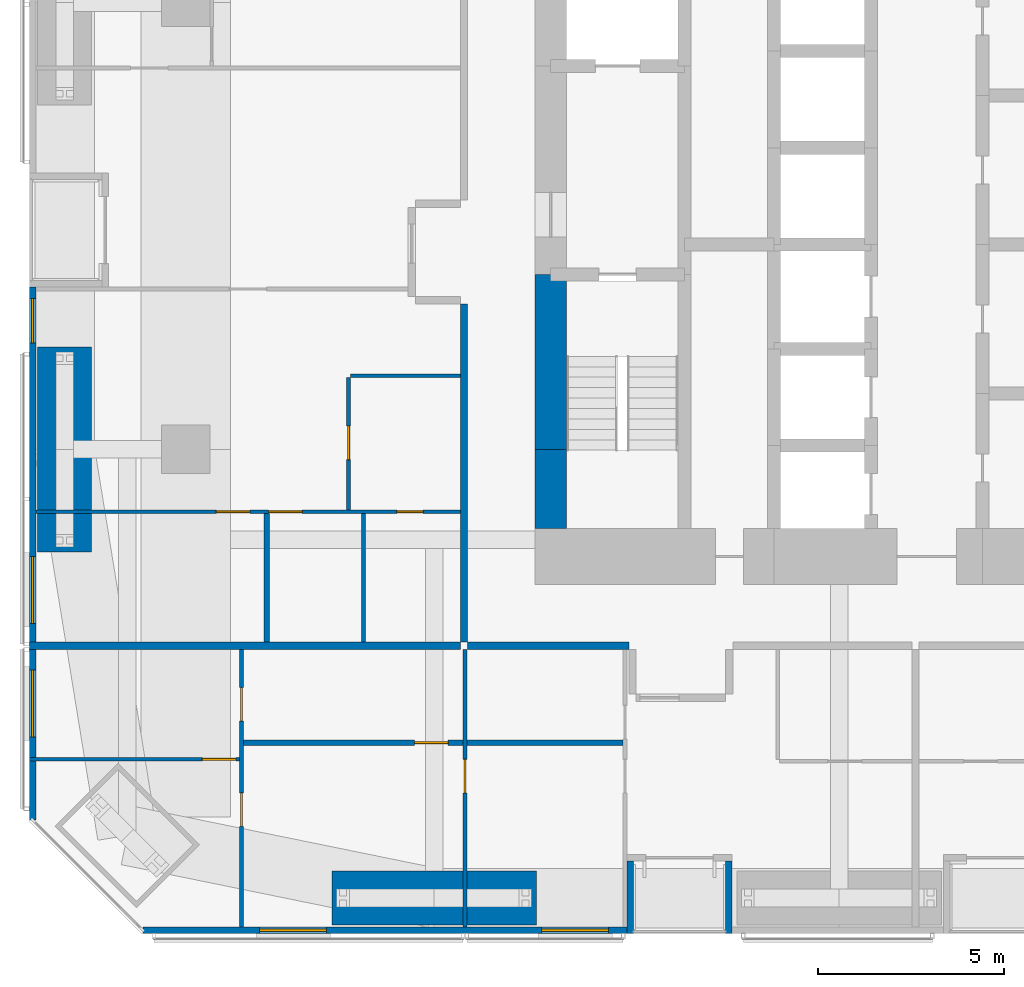
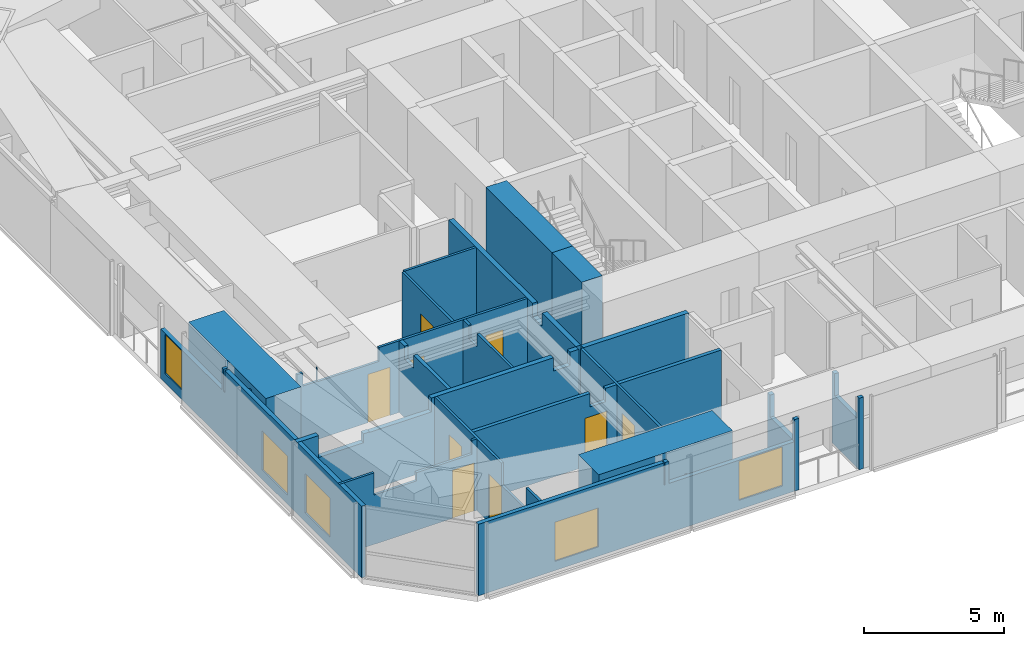
# One storey, part 16 of 23: 21 walls, 9 doors, 5 windows, 14 openings.
"""IFC4 building model written with IfcOpenShell, lengths in metres."""

from ifc_helpers import new_model, si_unit, direction, frame, frame_2d, origin, place, context, subcontext, project, spatial, polyline, rectangle, outline, extrude, material, layer, layer_set, constituent, constituent_set, type_object, element, fill, save


model = new_model("IFC4")

# Units and contexts
model_context = context("Model", 3, precision=1e-05, world=origin(), true_north=direction((0.0, 1.0)))
body_context = subcontext(model_context, "Body", "Model", "MODEL_VIEW")
ifc_project = project(units=[si_unit("LENGTHUNIT", "METRE"), si_unit("AREAUNIT", "SQUARE_METRE"), si_unit("VOLUMEUNIT", "CUBIC_METRE"), si_unit("PLANEANGLEUNIT", "RADIAN"), si_unit("MASSUNIT", "GRAM", prefix="KILO")], contexts=[model_context])

# Site, building, storey
site_placement = place(None, origin())
site = spatial("IfcSite", under=ifc_project, at=site_placement, CompositionType="ELEMENT")
building_placement = place(site_placement, origin())
building = spatial("IfcBuilding", under=site, at=building_placement, Name="Jalousie Tower", CompositionType="ELEMENT")
storey_placement = place(building_placement, frame((0.0, 0.0, 88.10009765625)))
storey = spatial("IfcBuildingStorey", under=building, at=storey_placement, Name="L23", CompositionType="ELEMENT", Elevation=88.10009765625)

# Wall, opening, door
ifc_material_1 = material(Name="Concrete block ASTM C90", Category="concrete")
ifc_constituent_1 = constituent(ifc_material_1, Name="Body")
ifc_material_2 = material(Name="Render")
ifc_constituent_2 = constituent(ifc_material_2, Name="Finish")
ifc_constituent_set_1 = constituent_set(constituents=[ifc_constituent_1, ifc_constituent_2])
wall_type_1 = type_object("IfcWallType", Name="BATHROOM WALL 150", PredefinedType="PLUMBINGWALL", material=ifc_constituent_set_1)
wall_1_placement = place(storey_placement, frame((11.75, 5.125, 0.0), z_axis=(0.0, 0.0, 1.0), x_axis=(1.0, 0.0, 0.0)))
wall_1 = element("IfcWall", 1, at=wall_1_placement, inside=storey, type_object=wall_type_1, Name="Bathroom Wall 150 L23", PredefinedType="PLUMBINGWALL", context=body_context, shape_type="SweptSolid", body=[
    extrude(outline(polyline([(0.0, 0.0), (5.89990234375, 0.0), (5.89990234375, 3.10986328125), (5.4462890625, 3.10986328125), (5.4462890625, 2.53076171875), (4.8037109375, 2.53076171875), (4.8037109375, 3.10986328125), (0.0, 3.10986328125), (0.0, 0.0)])), frame((0.0, 0.074951171875, 0.0), z_axis=(0.0, -1.0, 0.0), x_axis=(1.0, 0.0, 0.0)), (0.0, 0.0, 1.0), 0.14990234375),
])
opening_1_placement = place(wall_1_placement, frame((4.60009765625, 0.0, 0.0)))
opening_1 = element("IfcOpeningElement", 2, at=opening_1_placement, cuts=wall_1, Name="Opening D3", PredefinedType="OPENING", context=body_context, shape_type="SweptSolid", body=[
    extrude(rectangle(XDim=0.89990234375, YDim=2.10009765625, at=frame_2d((0.449951171875, 1.050048828125))), frame((0.0, 0.0849609375, 0.0), z_axis=(0.0, -1.0, 0.0), x_axis=(1.0, 0.0, 0.0)), (0.0, 0.0, 1.0), 0.169921875),
])
ifc_material_3 = material(Name="Timber door", Category="wood")
door_type_1 = type_object("IfcDoorType", Name="BATHROOM DOOR 900", OperationType="SINGLE_SWING_LEFT", PredefinedType="DOOR", material=ifc_material_3)
door_1_placement = place(opening_1_placement, origin())
door_1 = element("IfcDoor", 3, at=door_1_placement, inside=storey, type_object=door_type_1, Name="Apartment 2301 bedroom 2 bathroom door", OperationType="SINGLE_SWING_RIGHT", OverallHeight=2.10009765625, OverallWidth=0.89990234375, PredefinedType="DOOR", context=body_context, shape_type="SweptSolid", body=[
    extrude(rectangle(XDim=0.89990234375, YDim=2.10009765625, at=frame_2d((0.449951171875, 1.050048828125))), frame((0.0, 0.02490234375, 0.0), z_axis=(0.0, -1.0, 0.0), x_axis=(1.0, 0.0, 0.0)), (0.0, 0.0, 1.0), 0.050048828125),
])
fill(opening_1, door_1)

# Walls
wall_2_placement = place(storey_placement, frame((17.75, 5.125, 0.0), z_axis=(0.0, 0.0, 1.0), x_axis=(1.0, 0.0, 0.0)))
element("IfcWall", 4, at=wall_2_placement, inside=storey, type_object=wall_type_1, Name="Bathroom Wall 150 L23", PredefinedType="PLUMBINGWALL", context=body_context, shape_type="SweptSolid", body=[
    extrude(rectangle(XDim=4.199951171875, YDim=0.14990234375, at=frame_2d((2.10009765625, 0.0))), origin(), (0.0, 0.0, 1.0), 3.10986328125),
])
wall_3_placement = place(storey_placement, frame((12.375, 7.824951171875, 0.0), z_axis=(0.0, 0.0, 1.0), x_axis=(0.0, 1.0, 0.0)))
element("IfcWall", 5, at=wall_3_placement, inside=storey, type_object=wall_type_1, Name="Bathroom Wall 150 L23", PredefinedType="PLUMBINGWALL", context=body_context, shape_type="SweptSolid", body=[
    extrude(outline(polyline([(0.0, 0.0), (3.449951171875, 0.0), (3.449951171875, 3.10986328125), (3.0712890625, 3.10986328125), (3.0712890625, 2.53076171875), (2.4287109375, 2.53076171875), (2.4287109375, 3.10986328125), (0.0, 3.10986328125), (0.0, 0.0)])), frame((0.0, 0.074951171875, 0.0), z_axis=(0.0, -1.0, 0.0), x_axis=(1.0, 0.0, 0.0)), (0.0, 0.0, 1.0), 0.14990234375),
])
ifc_material_4 = material(Name="Concrete f'c 120 MPa", Category="concrete")
ifc_layer_1 = layer(ifc_material_4, 0.85009765625)
ifc_layer_set_1 = layer_set([ifc_layer_1], Name="Concrete f'c 120 MPa")
wall_type_2 = type_object("IfcWallType", Name="CORE WALL 850", PredefinedType="SHEAR", material=ifc_layer_set_1)
wall_4_placement = place(storey_placement, frame((20.0, 17.699951171875, 0.0), z_axis=(0.0, 0.0, 1.0), x_axis=(0.0, -1.0, 0.0)))
element("IfcWall", 6, at=wall_4_placement, inside=storey, type_object=wall_type_2, Name="Core wall WC L23", PredefinedType="SHEAR", context=body_context, shape_type="SweptSolid", body=[
    extrude(rectangle(XDim=4.699951171875, YDim=0.85009765625, at=frame_2d((2.35009765625, 0.0))), origin(), (0.0, 0.0, 1.0), 3.349853515625),
])
wall_5_placement = place(storey_placement, frame((20.0, 13.0, 0.0), z_axis=(0.0, 0.0, 1.0), x_axis=(0.0, -1.0, 0.0)))
element("IfcWall", 7, at=wall_5_placement, inside=storey, type_object=wall_type_2, Name="Core wall WD L23", PredefinedType="SHEAR", context=body_context, shape_type="SweptSolid", body=[
    extrude(rectangle(XDim=2.125, YDim=0.85009765625, at=frame_2d((1.0625, 0.0))), origin(), (0.0, 0.0, 1.0), 3.349853515625),
])
ifc_material_5 = material(Name="Concrete block ASTM C90", Category="concrete")
ifc_constituent_3 = constituent(ifc_material_5, Name="Body")
ifc_material_6 = material(Name="Render")
ifc_constituent_4 = constituent(ifc_material_6, Name="Finish")
ifc_constituent_set_2 = constituent_set(constituents=[ifc_constituent_3, ifc_constituent_4])
wall_type_3 = type_object("IfcWallType", Name="CORRIDOR WALL 200", PredefinedType="PARTITIONING", material=ifc_constituent_set_2)
wall_6_placement = place(storey_placement, frame((17.77490234375, 7.72509765625, 0.0), z_axis=(0.0, 0.0, 1.0), x_axis=(1.0, 0.0, 0.0)))
element("IfcWall", 8, at=wall_6_placement, inside=storey, type_object=wall_type_3, Name="Corridor Wall 200 L23", PredefinedType="PARTITIONING", context=body_context, shape_type="SweptSolid", body=[
    extrude(rectangle(XDim=4.3251953125, YDim=0.199951171875, at=frame_2d((2.16259765625, 0.0))), origin(), (0.0, 0.0, 1.0), 3.10986328125),
])
wall_7_placement = place(storey_placement, frame((17.675048828125, 7.824951171875, 0.0), z_axis=(0.0, 0.0, 1.0), x_axis=(0.0, 1.0, 0.0)))
element("IfcWall", 9, at=wall_7_placement, inside=storey, type_object=wall_type_3, Name="Corridor Wall 200 L23", PredefinedType="PARTITIONING", context=body_context, shape_type="SweptSolid", body=[
    extrude(outline(polyline([(0.0, 0.0), (9.074951171875, 0.0), (9.074951171875, 3.10986328125), (3.09619140625, 3.10986328125), (3.09619140625, 2.53076171875), (2.40380859375, 2.53076171875), (2.40380859375, 3.10986328125), (0.0, 3.10986328125), (0.0, 0.0)])), frame((0.0, 0.10009765625, 0.0), z_axis=(0.0, -1.0, 0.0), x_axis=(1.0, 0.0, 0.0)), (0.0, 0.0, 1.0), 0.199951171875),
])

# Wall, openings, windows
ifc_material_7 = material(Name="Concrete f'c 40 MPa", Category="concrete")
ifc_constituent_5 = constituent(ifc_material_7, Name="Body")
ifc_material_8 = material(Name="Render, pastel sea green")
ifc_constituent_6 = constituent(ifc_material_8, Name="Finish")
ifc_constituent_set_3 = constituent_set(constituents=[ifc_constituent_5, ifc_constituent_6])
wall_type_4 = type_object("IfcWallType", Name="EXTERNAL WALL 175 SEA GREEN RENDER", PredefinedType="SOLIDWALL", material=ifc_constituent_set_3)
wall_8_placement = place(storey_placement, frame((9.05126953125, 0.08740234375, 0.0), z_axis=(0.0, 0.0, 1.0), x_axis=(1.0, 0.0, 0.0)))
wall_8 = element("IfcWall", 10, at=wall_8_placement, inside=storey, type_object=wall_type_4, Name="External Wall 175 Sea Green Render L23", PredefinedType="SOLIDWALL", context=body_context, shape_type="SweptSolid", body=[
    extrude(outline(polyline([(0.0, 0.0), (12.998779296875, 0.0), (12.998779296875, 2.14990234375), (7.82373046875, 2.14990234375), (7.82373046875, 3.10986328125), (7.66552734375, 3.10986328125), (7.66552734375, 2.14990234375), (7.620361328125, 2.14990234375), (7.620361328125, 3.10986328125), (0.0, 3.10986328125), (0.0, 0.0)])), frame((0.0, 0.08740234375, 0.0), z_axis=(0.0, -1.0, 0.0), x_axis=(1.0, 0.0, 0.0)), (0.0, 0.0, 1.0), 0.175048828125),
])
opening_2_placement = place(wall_8_placement, frame((3.1337890625, 0.0, 0.39990234375)))
opening_2 = element("IfcOpeningElement", 11, at=opening_2_placement, cuts=wall_8, Name="Opening W-BED170", PredefinedType="OPENING", context=body_context, shape_type="SweptSolid", body=[
    extrude(rectangle(XDim=1.800048828125, YDim=1.699951171875, at=frame_2d((0.89990234375, 0.85009765625))), frame((0.0, 0.097412109375, 0.0), z_axis=(0.0, -1.0, 0.0), x_axis=(1.0, 0.0, 0.0)), (0.0, 0.0, 1.0), 0.195068359375),
])
opening_3_placement = place(wall_8_placement, frame((10.706298828125, 0.0, 0.39990234375)))
opening_3 = element("IfcOpeningElement", 12, at=opening_3_placement, cuts=wall_8, Name="Opening W-BED170", PredefinedType="OPENING", context=body_context, shape_type="SweptSolid", body=[
    extrude(rectangle(XDim=1.800048828125, YDim=1.699951171875, at=frame_2d((0.89990234375, 0.85009765625))), frame((0.0, 0.097412109375, 0.0), z_axis=(0.0, -1.0, 0.0), x_axis=(1.0, 0.0, 0.0)), (0.0, 0.0, 1.0), 0.195068359375),
])
ifc_material_9 = material(Name="Aluminium frame, impact-rated glazing", Category="aluminium")
window_type_1 = type_object("IfcWindowType", Name="WINDOW BED 1800x1700", PartitioningType="SINGLE_PANEL", PredefinedType="WINDOW", material=ifc_material_9)
window_1_placement = place(opening_2_placement, origin())
window_1 = element("IfcWindow", 13, at=window_1_placement, inside=storey, type_object=window_type_1, Name="Apartment 2301 bedroom 2 window", OverallHeight=1.699951171875, OverallWidth=1.800048828125, PartitioningType="SINGLE_PANEL", PredefinedType="WINDOW", context=body_context, shape_type="SweptSolid", body=[
    extrude(rectangle(XDim=1.800048828125, YDim=1.699951171875, at=frame_2d((0.89990234375, 0.85009765625))), frame((0.0, 0.030029296875, 0.0), z_axis=(0.0, -1.0, 0.0), x_axis=(1.0, 0.0, 0.0)), (0.0, 0.0, 1.0), 0.06005859375),
])
fill(opening_2, window_1)
window_2_placement = place(opening_3_placement, origin())
window_2 = element("IfcWindow", 14, at=window_2_placement, inside=storey, type_object=window_type_1, Name="Apartment 2301 bedroom 3 window", OverallHeight=1.699951171875, OverallWidth=1.800048828125, PartitioningType="SINGLE_PANEL", PredefinedType="WINDOW", context=body_context, shape_type="SweptSolid", body=[
    extrude(rectangle(XDim=1.800048828125, YDim=1.699951171875, at=frame_2d((0.89990234375, 0.85009765625))), frame((0.0, 0.030029296875, 0.0), z_axis=(0.0, -1.0, 0.0), x_axis=(1.0, 0.0, 0.0)), (0.0, 0.0, 1.0), 0.06005859375),
])
fill(opening_3, window_2)

# Walls
for number, where, z_axis, x_axis, name in (
    (15, (22.137451171875, 0.0, 0.0), (0.0, 0.0, 1.0), (0.0, 1.0, 0.0), "External Wall 175 Sea Green Render L23"),
    (16, (24.78759765625, 0.0, 0.0), (0.0, 0.0, 1.0), (0.0, 1.0, 0.0), "External Wall 175 Sea Green Render L23"),
):
    element("IfcWall", number, at=place(storey_placement, frame(where, z_axis=z_axis, x_axis=x_axis)), inside=storey, type_object=wall_type_4, Name=name, PredefinedType="SOLIDWALL", context=body_context, shape_type="SweptSolid", body=[
        extrude(outline(polyline([(0.0, 0.0), (1.949951171875, 0.0), (1.949951171875, 3.10986328125), (1.75, 3.10986328125), (1.75, 2.14990234375), (0.14990234375, 2.14990234375), (0.14990234375, 3.10986328125), (0.0, 3.10986328125), (0.0, 0.0)])), frame((0.0, 0.08740234375, 0.0), z_axis=(0.0, -1.0, 0.0), x_axis=(1.0, 0.0, 0.0)), (0.0, 0.0, 1.0), 0.175048828125),
    ])

# Wall, openings, windows
wall_9_placement = place(storey_placement, frame((6.08740234375, 17.3583984375, 0.0), z_axis=(0.0, 0.0, 1.0), x_axis=(0.0, -1.0, 0.0)))
wall_9 = element("IfcWall", 17, at=wall_9_placement, inside=storey, type_object=wall_type_4, Name="External Wall 175 Sea Green Render L23", PredefinedType="SOLIDWALL", context=body_context, shape_type="SweptSolid", body=[
    extrude(outline(polyline([(0.0, 0.0), (14.30712890625, 0.0), (14.306884765625, 3.10986328125), (4.576904296875, 3.10986328125), (4.576904296875, 2.14990234375), (4.48388671875, 2.14990234375), (4.48388671875, 3.10986328125), (4.3583984375, 3.10986328125), (4.3583984375, 2.14990234375), (0.0, 2.14990234375), (0.0, 0.0)])), frame((0.0, 0.08740234375, 0.0), z_axis=(0.0, -1.0, 0.0), x_axis=(1.0, 0.0, 0.0)), (0.0, 0.0, 1.0), 0.175048828125),
])
opening_4_placement = place(wall_9_placement, frame((0.300048828125, 0.0, 0.39990234375)))
opening_4 = element("IfcOpeningElement", 18, at=opening_4_placement, cuts=wall_9, Name="Opening W-COR170", PredefinedType="OPENING", context=body_context, shape_type="SweptSolid", body=[
    extrude(rectangle(XDim=1.199951171875, YDim=1.699951171875, at=frame_2d((0.60009765625, 0.85009765625))), frame((0.0, 0.097412109375, 0.0), z_axis=(0.0, -1.0, 0.0), x_axis=(1.0, 0.0, 0.0)), (0.0, 0.0, 1.0), 0.195068359375),
])
opening_5_placement = place(wall_9_placement, frame((7.2333984375, 0.0, 0.39990234375)))
opening_5 = element("IfcOpeningElement", 19, at=opening_5_placement, cuts=wall_9, Name="Opening W-BED170", PredefinedType="OPENING", context=body_context, shape_type="SweptSolid", body=[
    extrude(rectangle(XDim=1.800048828125, YDim=1.699951171875, at=frame_2d((0.89990234375, 0.85009765625))), frame((0.0, 0.097412109375, 0.0), z_axis=(0.0, -1.0, 0.0), x_axis=(1.0, 0.0, 0.0)), (0.0, 0.0, 1.0), 0.195068359375),
])
opening_6_placement = place(wall_9_placement, frame((10.282958984375, 0.0, 0.39990234375)))
opening_6 = element("IfcOpeningElement", 20, at=opening_6_placement, cuts=wall_9, Name="Opening W-BED170", PredefinedType="OPENING", context=body_context, shape_type="SweptSolid", body=[
    extrude(rectangle(XDim=1.800048828125, YDim=1.699951171875, at=frame_2d((0.89990234375, 0.85009765625))), frame((0.0, 0.097412109375, 0.0), z_axis=(0.0, -1.0, 0.0), x_axis=(1.0, 0.0, 0.0)), (0.0, 0.0, 1.0), 0.195068359375),
])
window_3_placement = place(opening_5_placement, origin())
window_3 = element("IfcWindow", 21, at=window_3_placement, inside=storey, type_object=window_type_1, Name="Apartment 2307 bedroom 1 window", OverallHeight=1.699951171875, OverallWidth=1.800048828125, PartitioningType="SINGLE_PANEL", PredefinedType="WINDOW", context=body_context, shape_type="SweptSolid", body=[
    extrude(rectangle(XDim=1.800048828125, YDim=1.699951171875, at=frame_2d((0.89990234375, 0.85009765625))), frame((0.0, 0.030029296875, 0.0), z_axis=(0.0, -1.0, 0.0), x_axis=(1.0, 0.0, 0.0)), (0.0, 0.0, 1.0), 0.06005859375),
])
fill(opening_5, window_3)
window_4_placement = place(opening_6_placement, origin())
window_4 = element("IfcWindow", 22, at=window_4_placement, inside=storey, type_object=window_type_1, Name="Apartment 2301 bedroom 1 window", OverallHeight=1.699951171875, OverallWidth=1.800048828125, PartitioningType="SINGLE_PANEL", PredefinedType="WINDOW", context=body_context, shape_type="SweptSolid", body=[
    extrude(rectangle(XDim=1.800048828125, YDim=1.699951171875, at=frame_2d((0.89990234375, 0.85009765625))), frame((0.0, 0.030029296875, 0.0), z_axis=(0.0, -1.0, 0.0), x_axis=(1.0, 0.0, 0.0)), (0.0, 0.0, 1.0), 0.06005859375),
])
fill(opening_6, window_4)
ifc_material_10 = material(Name="Aluminium frame, impact-rated glazing", Category="aluminium")
window_type_2 = type_object("IfcWindowType", Name="WINDOW COR 1200x1700", PartitioningType="SINGLE_PANEL", PredefinedType="WINDOW", material=ifc_material_10)
window_5_placement = place(opening_4_placement, origin())
window_5 = element("IfcWindow", 23, at=window_5_placement, inside=storey, type_object=window_type_2, Name="Apartment 2307 dining room window", OverallHeight=1.699951171875, OverallWidth=1.199951171875, PartitioningType="SINGLE_PANEL", PredefinedType="WINDOW", context=body_context, shape_type="SweptSolid", body=[
    extrude(rectangle(XDim=1.199951171875, YDim=1.699951171875, at=frame_2d((0.60009765625, 0.85009765625))), frame((0.0, 0.030029296875, 0.0), z_axis=(0.0, -1.0, 0.0), x_axis=(1.0, 0.0, 0.0)), (0.0, 0.0, 1.0), 0.06005859375),
])
fill(opening_4, window_5)

# Wall, openings, doors
ifc_material_11 = material(Name="Gypsum board", Category="gypsum")
ifc_constituent_7 = constituent(ifc_material_11, Name="Body")
ifc_material_12 = material(Name="Light-gauge steel studs ASTM A653 SS Grade 33", Category="steel")
ifc_constituent_8 = constituent(ifc_material_12, Name="Framing")
ifc_constituent_set_4 = constituent_set(constituents=[ifc_constituent_7, ifc_constituent_8])
wall_type_5 = type_object("IfcWallType", Name="PARTITION 100", PredefinedType="PARTITIONING", material=ifc_constituent_set_4)
wall_10_placement = place(storey_placement, frame((11.699951171875, 0.175048828125, 0.0), z_axis=(0.0, 0.0, 1.0), x_axis=(0.0, 1.0, 0.0)))
wall_10 = element("IfcWall", 24, at=wall_10_placement, inside=storey, type_object=wall_type_5, Name="Partition 100 L23", PredefinedType="PARTITIONING", context=body_context, shape_type="SweptSolid", body=[
    extrude(outline(polyline([(0.0, 0.0), (7.449951171875, 0.0), (7.449951171875, 3.10986328125), (2.708251953125, 3.10986328125), (2.708251953125, 2.14990234375), (0.952880859375, 2.14990234375), (0.952880859375, 3.10986328125), (0.0, 3.10986328125), (0.0, 0.0)])), frame((0.0, 0.050048828125, 0.0), z_axis=(0.0, -1.0, 0.0), x_axis=(1.0, 0.0, 0.0)), (0.0, 0.0, 1.0), 0.10009765625),
])
opening_7_placement = place(wall_10_placement, frame((2.700927734375, 0.0, 0.0)))
opening_7 = element("IfcOpeningElement", 25, at=opening_7_placement, cuts=wall_10, Name="Opening D2", PredefinedType="OPENING", context=body_context, shape_type="SweptSolid", body=[
    extrude(rectangle(XDim=0.89990234375, YDim=2.10009765625, at=frame_2d((0.449951171875, 1.050048828125))), frame((0.0, 0.06005859375, 0.0), z_axis=(0.0, -1.0, 0.0), x_axis=(1.0, 0.0, 0.0)), (0.0, 0.0, 1.0), 0.1201171875),
])
opening_8_placement = place(wall_10_placement, frame((5.525390625, 0.0, 0.0)))
opening_8 = element("IfcOpeningElement", 26, at=opening_8_placement, cuts=wall_10, Name="Opening D3", PredefinedType="OPENING", context=body_context, shape_type="SweptSolid", body=[
    extrude(rectangle(XDim=0.89990234375, YDim=2.10009765625, at=frame_2d((0.449951171875, 1.050048828125))), frame((0.0, 0.06005859375, 0.0), z_axis=(0.0, -1.0, 0.0), x_axis=(1.0, 0.0, 0.0)), (0.0, 0.0, 1.0), 0.1201171875),
])
door_2_placement = place(opening_8_placement, frame((0.89990234375, 0.0, 0.0), z_axis=(0.0, 0.0, 1.0), x_axis=(-1.0, 0.0, 0.0)))
door_2 = element("IfcDoor", 27, at=door_2_placement, inside=storey, type_object=door_type_1, Name="Apartment 2301 bedroom 1 bathroom door", OperationType="SINGLE_SWING_RIGHT", OverallHeight=2.10009765625, OverallWidth=0.89990234375, PredefinedType="DOOR", context=body_context, shape_type="SweptSolid", body=[
    extrude(rectangle(XDim=0.89990234375, YDim=2.10009765625, at=frame_2d((0.449951171875, 1.050048828125))), frame((0.0, 0.02490234375, 0.0), z_axis=(0.0, -1.0, 0.0), x_axis=(1.0, 0.0, 0.0)), (0.0, 0.0, 1.0), 0.050048828125),
])
fill(opening_8, door_2)
ifc_material_13 = material(Name="Timber door", Category="wood")
door_type_2 = type_object("IfcDoorType", Name="BEDROOM DOOR 900", OperationType="SINGLE_SWING_LEFT", PredefinedType="DOOR", material=ifc_material_13)
door_3_placement = place(opening_7_placement, frame((0.89990234375, 0.0, 0.0), z_axis=(0.0, 0.0, 1.0), x_axis=(-1.0, 0.0, 0.0)))
door_3 = element("IfcDoor", 28, at=door_3_placement, inside=storey, type_object=door_type_2, Name="Apartment 2301 bedroom 1 door", OperationType="SINGLE_SWING_LEFT", OverallHeight=2.10009765625, OverallWidth=0.89990234375, PredefinedType="DOOR", context=body_context, shape_type="SweptSolid", body=[
    extrude(rectangle(XDim=0.89990234375, YDim=2.10009765625, at=frame_2d((0.449951171875, 1.050048828125))), frame((0.0, 0.02490234375, 0.0), z_axis=(0.0, -1.0, 0.0), x_axis=(1.0, 0.0, 0.0)), (0.0, 0.0, 1.0), 0.050048828125),
])
fill(opening_7, door_3)

# Wall, opening, door
wall_11_placement = place(storey_placement, frame((17.699951171875, 0.175048828125, 0.0), z_axis=(0.0, 0.0, 1.0), x_axis=(0.0, 1.0, 0.0)))
wall_11 = element("IfcWall", 29, at=wall_11_placement, inside=storey, type_object=wall_type_5, Name="Partition 100 L23", PredefinedType="PARTITIONING", context=body_context, shape_type="SweptSolid", body=[
    extrude(outline(polyline([(1.635009765625, 2.14990234375), (0.0, 2.14990234375), (0.0, 0.0), (7.449951171875, 0.0), (7.449951171875, 3.10986328125), (1.635009765625, 3.10986328125), (1.635009765625, 2.14990234375)]), holes=[polyline([(1.023681640625, 0.103515625), (0.526123046875, 0.103515625), (0.526123046875, 0.918212890625), (1.023681640625, 0.918212890625), (1.023681640625, 0.103515625)]), polyline([(1.023681640625, 1.231689453125), (0.526123046875, 1.231689453125), (0.526123046875, 2.046142578125), (1.023681640625, 2.046142578125), (1.023681640625, 1.231689453125)])]), frame((0.0, 0.050048828125, 0.0), z_axis=(0.0, -1.0, 0.0), x_axis=(1.0, 0.0, 0.0)), (0.0, 0.0, 1.0), 0.10009765625),
])
opening_9_placement = place(wall_11_placement, frame((3.60009765625, 0.0, 0.0)))
opening_9 = element("IfcOpeningElement", 30, at=opening_9_placement, cuts=wall_11, Name="Opening D2", PredefinedType="OPENING", context=body_context, shape_type="SweptSolid", body=[
    extrude(rectangle(XDim=0.89990234375, YDim=2.10009765625, at=frame_2d((0.449951171875, 1.050048828125))), frame((0.0, 0.06005859375, 0.0), z_axis=(0.0, -1.0, 0.0), x_axis=(1.0, 0.0, 0.0)), (0.0, 0.0, 1.0), 0.1201171875),
])
door_4_placement = place(opening_9_placement, origin())
door_4 = element("IfcDoor", 31, at=door_4_placement, inside=storey, type_object=door_type_2, Name="Apartment 2301 bedroom 2 door", OperationType="SINGLE_SWING_RIGHT", OverallHeight=2.10009765625, OverallWidth=0.89990234375, PredefinedType="DOOR", context=body_context, shape_type="SweptSolid", body=[
    extrude(rectangle(XDim=0.89990234375, YDim=2.10009765625, at=frame_2d((0.449951171875, 1.050048828125))), frame((0.0, 0.02490234375, 0.0), z_axis=(0.0, -1.0, 0.0), x_axis=(1.0, 0.0, 0.0)), (0.0, 0.0, 1.0), 0.050048828125),
])
fill(opening_9, door_4)

wall_12_placement = place(storey_placement, frame((6.0, 4.67578125, 0.0), z_axis=(0.0, 0.0, 1.0), x_axis=(1.0, 0.0, 0.0)))
wall_12 = element("IfcWall", 32, at=wall_12_placement, inside=storey, type_object=wall_type_5, Name="Partition 100 L23", PredefinedType="PARTITIONING", context=body_context, shape_type="SweptSolid", body=[
    extrude(outline(polyline([(0.0, 0.0), (5.64990234375, 0.0), (5.64990234375, 3.10986328125), (5.4599609375, 3.10986328125), (5.4599609375, 2.510009765625), (3.171142578125, 2.510009765625), (3.171142578125, 2.14990234375), (1.4287109375, 2.14990234375), (1.4287109375, 3.10986328125), (0.0, 3.10986328125), (0.0, 0.0)])), frame((0.0, 0.050048828125, 0.0), z_axis=(0.0, -1.0, 0.0), x_axis=(1.0, 0.0, 0.0)), (0.0, 0.0, 1.0), 0.10009765625),
])
opening_10_placement = place(wall_12_placement, frame((4.64990234375, 0.0, 0.0)))
opening_10 = element("IfcOpeningElement", 33, at=opening_10_placement, cuts=wall_12, Name="Opening D7", PredefinedType="OPENING", context=body_context, shape_type="SweptSolid", body=[
    extrude(rectangle(XDim=0.89990234375, YDim=2.10009765625, at=frame_2d((0.449951171875, 1.050048828125))), frame((0.0, 0.06005859375, 0.0), z_axis=(0.0, -1.0, 0.0), x_axis=(1.0, 0.0, 0.0)), (0.0, 0.0, 1.0), 0.1201171875),
])
ifc_material_14 = material(Name="Timber door", Category="wood")
door_type_3 = type_object("IfcDoorType", Name="INTERNAL DOOR 900", OperationType="SINGLE_SWING_LEFT", PredefinedType="DOOR", material=ifc_material_14)
door_5_placement = place(opening_10_placement, origin())
door_5 = element("IfcDoor", 34, at=door_5_placement, inside=storey, type_object=door_type_3, Name="Apartment 2301 bedroom 1 dressing hall door", OperationType="SINGLE_SWING_RIGHT", OverallHeight=2.10009765625, OverallWidth=0.89990234375, PredefinedType="DOOR", context=body_context, shape_type="SweptSolid", body=[
    extrude(rectangle(XDim=0.89990234375, YDim=2.10009765625, at=frame_2d((0.449951171875, 1.050048828125))), frame((0.0, 0.02490234375, 0.0), z_axis=(0.0, -1.0, 0.0), x_axis=(1.0, 0.0, 0.0)), (0.0, 0.0, 1.0), 0.050048828125),
])
fill(opening_10, door_5)

# Wall, openings, doors
wall_13_placement = place(storey_placement, frame((6.175048828125, 11.324951171875, 0.0), z_axis=(0.0, 0.0, 1.0), x_axis=(1.0, 0.0, 0.0)))
wall_13 = element("IfcWall", 35, at=wall_13_placement, inside=storey, type_object=wall_type_5, Name="Partition 100 L23", PredefinedType="PARTITIONING", context=body_context, shape_type="SweptSolid", body=[
    extrude(outline(polyline([(0.17529296875, 3.10986328125), (0.0, 3.10986328125), (0.0, 0.0), (0.5263671875, 0.0), (0.5263671875, 0.3369140625), (1.023681640625, 0.3369140625), (1.023681640625, 0.0), (11.39990234375, 0.0), (11.39990234375, 3.10986328125), (5.284912109375, 3.10986328125), (5.284912109375, 2.510009765625), (2.764892578125, 2.510009765625), (2.764892578125, 3.10986328125), (2.752685546875, 3.10986328125), (2.752685546875, 2.53076171875), (2.16015625, 2.53076171875), (2.16015625, 3.10986328125), (1.91796875, 3.10986328125), (1.91796875, 2.14990234375), (1.023681640625, 2.14990234375), (1.023681640625, 1.812744140625), (0.5263671875, 1.812744140625), (0.5263671875, 2.14990234375), (0.17529296875, 2.14990234375), (0.17529296875, 3.10986328125)])), frame((0.0, 0.050048828125, 0.0), z_axis=(0.0, -1.0, 0.0), x_axis=(1.0, 0.0, 0.0)), (0.0, 0.0, 1.0), 0.10009765625),
])
opening_11_placement = place(wall_13_placement, frame((4.85009765625, 0.0, 0.0)))
opening_11 = element("IfcOpeningElement", 36, at=opening_11_placement, cuts=wall_13, Name="Opening D2", PredefinedType="OPENING", context=body_context, shape_type="SweptSolid", body=[
    extrude(rectangle(XDim=0.89990234375, YDim=2.10009765625, at=frame_2d((0.449951171875, 1.050048828125))), frame((0.0, 0.06005859375, 0.0), z_axis=(0.0, -1.0, 0.0), x_axis=(1.0, 0.0, 0.0)), (0.0, 0.0, 1.0), 0.1201171875),
])
opening_12_placement = place(wall_13_placement, frame((6.25, 0.0, 0.0)))
opening_12 = element("IfcOpeningElement", 37, at=opening_12_placement, cuts=wall_13, Name="Opening D7", PredefinedType="OPENING", context=body_context, shape_type="SweptSolid", body=[
    extrude(rectangle(XDim=0.89990234375, YDim=2.10009765625, at=frame_2d((0.449951171875, 1.050048828125))), frame((0.0, 0.06005859375, 0.0), z_axis=(0.0, -1.0, 0.0), x_axis=(1.0, 0.0, 0.0)), (0.0, 0.0, 1.0), 0.1201171875),
])
opening_13_placement = place(wall_13_placement, frame((9.699951171875, 0.0, 0.0)))
opening_13 = element("IfcOpeningElement", 38, at=opening_13_placement, cuts=wall_13, Name="Opening D4", PredefinedType="OPENING", context=body_context, shape_type="SweptSolid", body=[
    extrude(rectangle(XDim=0.699951171875, YDim=2.10009765625, at=frame_2d((0.35009765625, 1.050048828125))), frame((0.0, 0.06005859375, 0.0), z_axis=(0.0, -1.0, 0.0), x_axis=(1.0, 0.0, 0.0)), (0.0, 0.0, 1.0), 0.1201171875),
])
door_6_placement = place(opening_11_placement, frame((0.89990234375, 0.0, 0.0), z_axis=(0.0, 0.0, 1.0), x_axis=(-1.0, 0.0, 0.0)))
door_6 = element("IfcDoor", 39, at=door_6_placement, inside=storey, type_object=door_type_2, Name="Apartment 2307 bedroom 1 door", OperationType="SINGLE_SWING_LEFT", OverallHeight=2.10009765625, OverallWidth=0.89990234375, PredefinedType="DOOR", context=body_context, shape_type="SweptSolid", body=[
    extrude(rectangle(XDim=0.89990234375, YDim=2.10009765625, at=frame_2d((0.449951171875, 1.050048828125))), frame((0.0, 0.02490234375, 0.0), z_axis=(0.0, -1.0, 0.0), x_axis=(1.0, 0.0, 0.0)), (0.0, 0.0, 1.0), 0.050048828125),
])
fill(opening_11, door_6)
door_7_placement = place(opening_12_placement, frame((0.89990234375, 0.0, 0.0), z_axis=(0.0, 0.0, 1.0), x_axis=(-1.0, 0.0, 0.0)))
door_7 = element("IfcDoor", 40, at=door_7_placement, inside=storey, type_object=door_type_3, Name="Apartment 2307 bathroom door", OperationType="SINGLE_SWING_RIGHT", OverallHeight=2.10009765625, OverallWidth=0.89990234375, PredefinedType="DOOR", context=body_context, shape_type="SweptSolid", body=[
    extrude(rectangle(XDim=0.89990234375, YDim=2.10009765625, at=frame_2d((0.449951171875, 1.050048828125))), frame((0.0, 0.02490234375, 0.0), z_axis=(0.0, -1.0, 0.0), x_axis=(1.0, 0.0, 0.0)), (0.0, 0.0, 1.0), 0.050048828125),
])
fill(opening_12, door_7)
ifc_material_15 = material(Name="Timber door", Category="wood")
door_type_4 = type_object("IfcDoorType", Name="STORE DOOR 700", OperationType="SINGLE_SWING_LEFT", PredefinedType="DOOR", material=ifc_material_15)
door_8_placement = place(opening_13_placement, frame((0.699951171875, 0.0, 0.0), z_axis=(0.0, 0.0, 1.0), x_axis=(-1.0, 0.0, 0.0)))
door_8 = element("IfcDoor", 41, at=door_8_placement, inside=storey, type_object=door_type_4, Name="Apartment 2307 store door", OperationType="SINGLE_SWING_RIGHT", OverallHeight=2.10009765625, OverallWidth=0.699951171875, PredefinedType="DOOR", context=body_context, shape_type="SweptSolid", body=[
    extrude(rectangle(XDim=0.699951171875, YDim=2.10009765625, at=frame_2d((0.35009765625, 1.050048828125))), frame((0.0, 0.02490234375, 0.0), z_axis=(0.0, -1.0, 0.0), x_axis=(1.0, 0.0, 0.0)), (0.0, 0.0, 1.0), 0.050048828125),
])
fill(opening_13, door_8)

# Wall
wall_14_placement = place(storey_placement, frame((14.97509765625, 7.824951171875, 0.0), z_axis=(0.0, 0.0, 1.0), x_axis=(0.0, 1.0, 0.0)))
element("IfcWall", 42, at=wall_14_placement, inside=storey, type_object=wall_type_5, Name="Partition 100 L23", PredefinedType="PARTITIONING", context=body_context, shape_type="SweptSolid", body=[
    extrude(outline(polyline([(0.0, 0.0), (3.449951171875, 0.0), (3.449951171875, 3.10986328125), (3.046142578125, 3.10986328125), (3.046142578125, 2.53076171875), (2.453857421875, 2.53076171875), (2.453857421875, 3.10986328125), (0.0, 3.10986328125), (0.0, 0.0)])), frame((0.0, 0.050048828125, 0.0), z_axis=(0.0, -1.0, 0.0), x_axis=(1.0, 0.0, 0.0)), (0.0, 0.0, 1.0), 0.10009765625),
])

# Wall, opening, door
wall_15_placement = place(storey_placement, frame((14.574951171875, 11.375, 0.0), z_axis=(0.0, 0.0, 1.0), x_axis=(0.0, 1.0, 0.0)))
wall_15 = element("IfcWall", 43, at=wall_15_placement, inside=storey, type_object=wall_type_5, Name="Partition 100 L23", PredefinedType="PARTITIONING", context=body_context, shape_type="SweptSolid", body=[
    extrude(rectangle(XDim=3.550048828125, YDim=0.10009765625, at=frame_2d((1.77490234375, 0.0))), origin(), (0.0, 0.0, 1.0), 3.10986328125),
])
opening_14_placement = place(wall_15_placement, frame((1.35009765625, 0.0, 0.0)))
opening_14 = element("IfcOpeningElement", 44, at=opening_14_placement, cuts=wall_15, Name="Opening D7", PredefinedType="OPENING", context=body_context, shape_type="SweptSolid", body=[
    extrude(rectangle(XDim=0.89990234375, YDim=2.10009765625, at=frame_2d((0.449951171875, 1.050048828125))), frame((0.0, 0.06005859375, 0.0), z_axis=(0.0, -1.0, 0.0), x_axis=(1.0, 0.0, 0.0)), (0.0, 0.0, 1.0), 0.1201171875),
])
door_9_placement = place(opening_14_placement, origin())
door_9 = element("IfcDoor", 45, at=door_9_placement, inside=storey, type_object=door_type_3, Name="Apartment 2307 kitchen door", OperationType="SINGLE_SWING_LEFT", OverallHeight=2.10009765625, OverallWidth=0.89990234375, PredefinedType="DOOR", context=body_context, shape_type="SweptSolid", body=[
    extrude(rectangle(XDim=0.89990234375, YDim=2.10009765625, at=frame_2d((0.449951171875, 1.050048828125))), frame((0.0, 0.02490234375, 0.0), z_axis=(0.0, -1.0, 0.0), x_axis=(1.0, 0.0, 0.0)), (0.0, 0.0, 1.0), 0.050048828125),
])
fill(opening_14, door_9)

# Walls
wall_16_placement = place(storey_placement, frame((14.625, 14.97509765625, 0.0), z_axis=(0.0, 0.0, 1.0), x_axis=(1.0, 0.0, 0.0)))
element("IfcWall", 46, at=wall_16_placement, inside=storey, type_object=wall_type_5, Name="Partition 100 L23", PredefinedType="PARTITIONING", context=body_context, shape_type="SweptSolid", body=[
    extrude(rectangle(XDim=2.949951171875, YDim=0.10009765625, at=frame_2d((1.47509765625, 0.0))), origin(), (0.0, 0.0, 1.0), 3.10986328125),
])
ifc_material_16 = material(Name="Concrete block ASTM C90", Category="concrete")
ifc_constituent_9 = constituent(ifc_material_16, Name="Body")
ifc_material_17 = material(Name="Render")
ifc_constituent_10 = constituent(ifc_material_17, Name="Finish")
ifc_constituent_set_5 = constituent_set(constituents=[ifc_constituent_9, ifc_constituent_10])
wall_type_6 = type_object("IfcWallType", Name="PARTY WALL 200", PredefinedType="PARTITIONING", material=ifc_constituent_set_5)
wall_17_placement = place(storey_placement, frame((6.0, 7.72509765625, 0.0), z_axis=(0.0, 0.0, 1.0), x_axis=(1.0, 0.0, 0.0)))
element("IfcWall", 47, at=wall_17_placement, inside=storey, type_object=wall_type_6, Name="Party Wall 200 L23", PredefinedType="PARTITIONING", context=body_context, shape_type="SweptSolid", body=[
    extrude(outline(polyline([(0.0, 0.0), (11.574951171875, 0.0), (11.574951171875, 3.10986328125), (11.22119140625, 3.10986328125), (11.22119140625, 2.53076171875), (10.52880859375, 2.53076171875), (10.52880859375, 3.10986328125), (5.510009765625, 3.10986328125), (5.510009765625, 2.510009765625), (2.9775390625, 2.510009765625), (2.9775390625, 2.53076171875), (2.727294921875, 2.53076171875), (2.727294921875, 2.14990234375), (0.883544921875, 2.14990234375), (0.883544921875, 3.10986328125), (0.0, 3.10986328125), (0.0, 0.0)])), frame((0.0, 0.10009765625, 0.0), z_axis=(0.0, -1.0, 0.0), x_axis=(1.0, 0.0, 0.0)), (0.0, 0.0, 1.0), 0.199951171875),
])
ifc_material_18 = material(Name="Concrete f'c 120 MPa", Category="concrete")
ifc_layer_2 = layer(ifc_material_18, 1.449951171875)
ifc_layer_set_2 = layer_set([ifc_layer_2], Name="Concrete f'c 120 MPa")
wall_type_7 = type_object("IfcWallType", Name="RC WALL PIER 1450", PredefinedType="SHEAR", material=ifc_layer_set_2)
for number, where, z_axis, x_axis, name in (
    (48, (14.125, 0.949951171875, 0.0), (0.0, 0.0, 1.0), (1.0, 0.0, 0.0), "Wall pier 02 L23"),
    (49, (6.949951171875, 10.25, 0.0), (0.0, 0.0, 1.0), (0.0, 1.0, 0.0), "Wall pier 14 L23"),
):
    element("IfcWall", number, at=place(storey_placement, frame(where, z_axis=z_axis, x_axis=x_axis)), inside=storey, type_object=wall_type_7, Name=name, PredefinedType="SHEAR", context=body_context, shape_type="SweptSolid", body=[
        extrude(rectangle(XDim=5.5, YDim=1.449951171875, at=frame_2d((2.75, 0.0))), origin(), (0.0, 0.0, 1.0), 3.349853515625),
    ])

save(model, "model.ifc")
